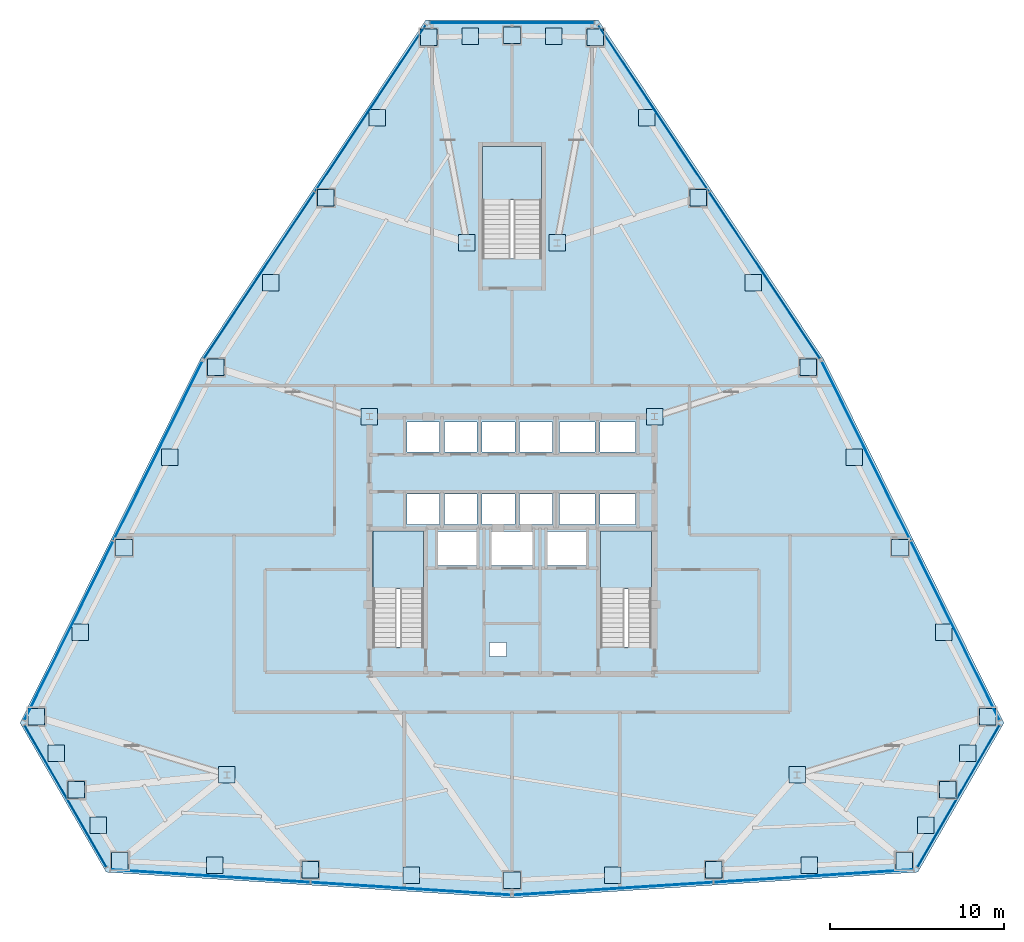
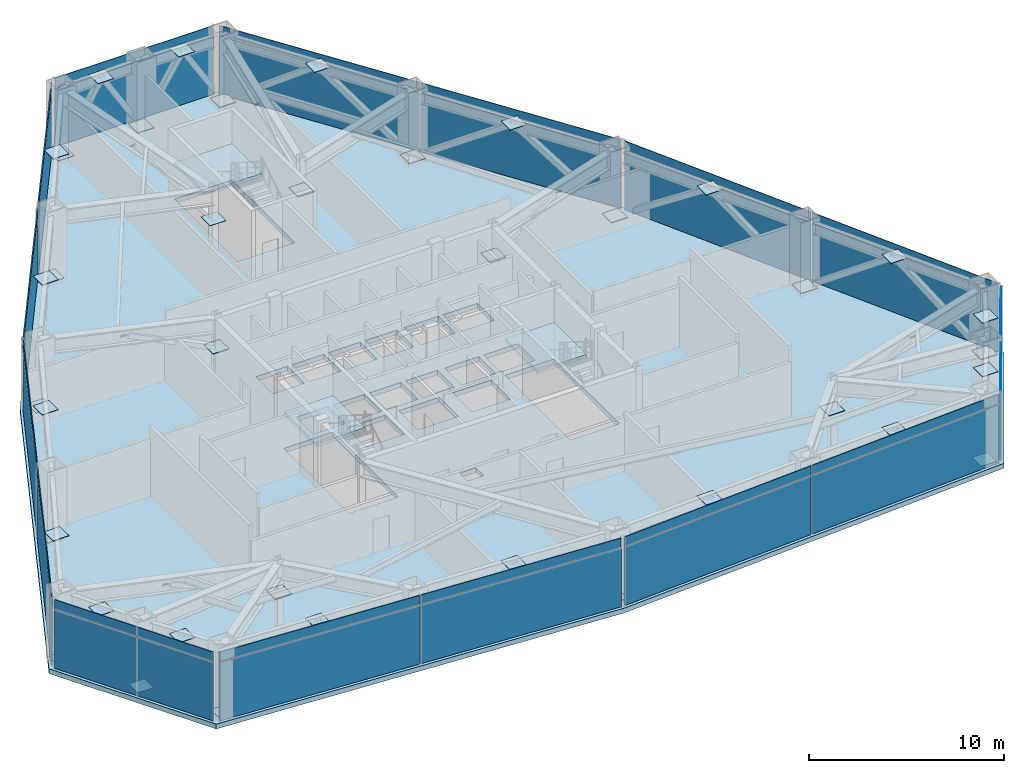
# One storey, part 8 of 12: 72 plates, 4 slabs, 12 elements without a shape of their own.
"""IFC4 building model written with IfcOpenShell, lengths in metres."""

from ifc_helpers import new_model, si_unit, direction, frame, origin, origin_2d, place, context, subcontext, project, spatial, polyline, rectangle, outline, extrude, source, transform, mapped, material, layer, layer_set, type_object, type_shapes, element, aggregate, save


model = new_model("IFC4")

# Units and contexts
model_context = context("Model", 3, precision=1e-05, world=origin(), true_north=direction((0.0, 1.0)))
body_context = subcontext(model_context, "Body", "Model", "MODEL_VIEW")
ifc_project = project(units=[si_unit("LENGTHUNIT", "METRE"), si_unit("AREAUNIT", "SQUARE_METRE"), si_unit("VOLUMEUNIT", "CUBIC_METRE"), si_unit("PLANEANGLEUNIT", "RADIAN"), si_unit("MASSUNIT", "GRAM", prefix="KILO")], contexts=[model_context])

# Site, building, storey
site_placement = place(None, origin())
site = spatial("IfcSite", under=ifc_project, at=site_placement, CompositionType="ELEMENT")
building_placement = place(site_placement, origin())
building = spatial("IfcBuilding", under=site, at=building_placement, Name="Varakhsha Concourse Tower", CompositionType="ELEMENT")
storey_placement = place(building_placement, frame((0.0, 0.0, 68.800048828125)))
storey = spatial("IfcBuildingStorey", under=building, at=storey_placement, Name="L19", CompositionType="ELEMENT", Elevation=68.800048828125)

# Slab
ifc_material_1 = material(Name="Concrete fc 45 MPa", Category="concrete")
ifc_layer_1 = layer(ifc_material_1, 0.300048828125, Name="SL-FLR-300")
ifc_layer_set_1 = layer_set([ifc_layer_1], Name="Concrete fc 45 MPa")
slab_type_1 = type_object("IfcSlabType", Name="SL-FLR-300", PredefinedType="FLOOR", material=ifc_layer_set_1)
slab_1_placement = place(storey_placement, frame((0.0, 0.0, -0.300048828125)))
element("IfcSlab", 1, at=slab_1_placement, inside=storey, type_object=slab_type_1, Name="L19 Composite Structural Slab", PredefinedType="FLOOR", context=body_context, shape_type="SweptSolid", body=[
    extrude(outline(polyline([(44.95703125, 54.013916015625), (35.04296875, 54.013916015625), (22.088623046875, 34.541015625), (11.701904296875, 13.5859375), (16.658935546875, 5.0), (40.0, 3.517822265625), (63.341064453125, 5.0), (68.298095703125, 13.5859375), (57.911376953125, 34.541015625), (44.95703125, 54.013916015625)]), holes=[polyline([(34.919921875, 17.93994140625), (34.919921875, 24.6298828125), (32.0, 24.6298828125), (32.0, 17.93994140625), (34.919921875, 17.93994140625)]), polyline([(48.02001953125, 17.93994140625), (48.02001953125, 24.6298828125), (45.10009765625, 24.6298828125), (45.10009765625, 17.93994140625), (48.02001953125, 17.93994140625)]), polyline([(41.699951171875, 40.300048828125), (41.699951171875, 46.75), (38.300048828125, 46.75), (38.300048828125, 40.300048828125), (41.699951171875, 40.300048828125)]), polyline([(33.9599609375, 29.159912109375), (35.840087890625, 29.159912109375), (35.840087890625, 30.89990234375), (33.9599609375, 30.89990234375), (33.9599609375, 29.159912109375)]), polyline([(36.1201171875, 29.159912109375), (38.0, 29.159912109375), (38.0, 30.89990234375), (36.1201171875, 30.89990234375), (36.1201171875, 29.159912109375)]), polyline([(38.280029296875, 29.159912109375), (40.159912109375, 29.159912109375), (40.159912109375, 30.89990234375), (38.280029296875, 30.89990234375), (38.280029296875, 29.159912109375)]), polyline([(40.43994140625, 29.159912109375), (42.320068359375, 29.159912109375), (42.320068359375, 30.89990234375), (40.43994140625, 30.89990234375), (40.43994140625, 29.159912109375)]), polyline([(33.9599609375, 25.0), (35.840087890625, 25.0), (35.840087890625, 26.739990234375), (33.9599609375, 26.739990234375), (33.9599609375, 25.0)]), polyline([(36.1201171875, 25.0), (38.0, 25.0), (38.0, 26.739990234375), (36.1201171875, 26.739990234375), (36.1201171875, 25.0)]), polyline([(38.280029296875, 25.0), (40.159912109375, 25.0), (40.159912109375, 26.739990234375), (38.280029296875, 26.739990234375), (38.280029296875, 25.0)]), polyline([(40.43994140625, 25.0), (42.320068359375, 25.0), (42.320068359375, 26.739990234375), (40.43994140625, 26.739990234375), (40.43994140625, 25.0)]), polyline([(42.739990234375, 29.159912109375), (44.780029296875, 29.159912109375), (44.780029296875, 30.89990234375), (42.739990234375, 30.89990234375), (42.739990234375, 29.159912109375)]), polyline([(45.06005859375, 29.159912109375), (47.10009765625, 29.159912109375), (47.10009765625, 30.89990234375), (45.06005859375, 30.89990234375), (45.06005859375, 29.159912109375)]), polyline([(42.739990234375, 25.0), (44.780029296875, 25.0), (44.780029296875, 26.739990234375), (42.739990234375, 26.739990234375), (42.739990234375, 25.0)]), polyline([(45.06005859375, 25.0), (47.10009765625, 25.0), (47.10009765625, 26.739990234375), (45.06005859375, 26.739990234375), (45.06005859375, 25.0)]), polyline([(35.7099609375, 22.639892578125), (37.989990234375, 22.639892578125), (37.989990234375, 24.60009765625), (35.7099609375, 24.60009765625), (35.7099609375, 22.639892578125)]), polyline([(42.010009765625, 22.639892578125), (44.2900390625, 22.639892578125), (44.2900390625, 24.60009765625), (42.010009765625, 24.60009765625), (42.010009765625, 22.639892578125)]), polyline([(38.81005859375, 22.639892578125), (41.18994140625, 22.639892578125), (41.18994140625, 24.60009765625), (38.81005859375, 24.60009765625), (38.81005859375, 22.639892578125)]), polyline([(38.719970703125, 17.39990234375), (39.679931640625, 17.39990234375), (39.679931640625, 18.199951171875), (38.719970703125, 18.199951171875), (38.719970703125, 17.39990234375)])]), origin(), (0.0, 0.0, 1.0), 0.300048828125),
])

# Stair, slab
stair_type_1 = type_object("IfcStairType", Name="ST-DOGLEG-1360", PredefinedType="HALF_TURN_STAIR", material=ifc_material_1)
stair_1_placement = place(storey_placement, origin())
stair_1 = element("IfcStair", 2, at=stair_1_placement, inside=storey, type_object=stair_type_1, Name="L19 Protected Exit Stair ST1", PredefinedType="HALF_TURN_STAIR")
ifc_layer_2 = layer(ifc_material_1, 0.199951171875, Name="SL-LAND-200")
ifc_layer_set_2 = layer_set([ifc_layer_2], Name="Concrete fc 45 MPa")
slab_type_2 = type_object("IfcSlabType", Name="SL-LAND-200", PredefinedType="LANDING", material=ifc_layer_set_2)
slab_2_placement = place(storey_placement, frame((0.0, 0.0, 2.099853515625)))
slab_2 = element("IfcSlab", 3, at=slab_2_placement, type_object=slab_type_2, Name="ST1 landing 1", PredefinedType="LANDING", context=body_context, shape_type="SweptSolid", body=[
    extrude(outline(polyline([(34.919921875, 21.300048828125), (34.919921875, 24.6298828125), (32.0, 24.6298828125), (32.0, 21.300048828125), (34.919921875, 21.300048828125)])), origin(), (0.0, 0.0, 1.0), 0.2001953125),
])
aggregate(stair_1, [slab_2])

stair_2_placement = place(storey_placement, origin())
stair_2 = element("IfcStair", 4, at=stair_2_placement, inside=storey, type_object=stair_type_1, Name="L19 Protected Exit Stair ST2", PredefinedType="HALF_TURN_STAIR")
slab_3_placement = place(storey_placement, frame((0.0, 0.0, 2.099853515625)))
slab_3 = element("IfcSlab", 5, at=slab_3_placement, type_object=slab_type_2, Name="ST2 landing 1", PredefinedType="LANDING", context=body_context, shape_type="SweptSolid", body=[
    extrude(outline(polyline([(48.02001953125, 21.300048828125), (48.02001953125, 24.6298828125), (45.10009765625, 24.6298828125), (45.10009765625, 21.300048828125), (48.02001953125, 21.300048828125)])), origin(), (0.0, 0.0, 1.0), 0.2001953125),
])
aggregate(stair_2, [slab_3])

stair_type_2 = type_object("IfcStairType", Name="ST-DOGLEG-1600", PredefinedType="HALF_TURN_STAIR", material=ifc_material_1)
stair_3_placement = place(storey_placement, origin())
stair_3 = element("IfcStair", 6, at=stair_3_placement, inside=storey, type_object=stair_type_2, Name="L19 Protected Exit Stair ST5", PredefinedType="HALF_TURN_STAIR")
slab_4_placement = place(storey_placement, frame((0.0, 0.0, 2.099853515625)))
slab_4 = element("IfcSlab", 7, at=slab_4_placement, type_object=slab_type_2, Name="ST5 landing 1", PredefinedType="LANDING", context=body_context, shape_type="SweptSolid", body=[
    extrude(outline(polyline([(41.699951171875, 43.659912109375), (41.699951171875, 46.75), (38.300048828125, 46.75), (38.300048828125, 43.659912109375), (41.699951171875, 43.659912109375)])), origin(), (0.0, 0.0, 1.0), 0.2001953125),
])
aggregate(stair_3, [slab_4])

# Plates
ifc_material_2 = material(Name="Structural Steel ASTM A572 Grade 50", Category="steel")
ifc_layer_3 = layer(ifc_material_2, 0.030029296875, Name="PL-ENDCAP-950")
ifc_layer_set_3 = layer_set([ifc_layer_3], Name="Structural Steel ASTM A572 Grade 50")
plate_type_1 = type_object("IfcPlateType", Name="PL-ENDCAP-950", PredefinedType="USERDEFINED", material=ifc_layer_set_3)
shared_shape_1 = source(origin(), body_context, "Body", "SweptSolid", [
    extrude(rectangle(XDim=0.949951171875, YDim=0.949951171875, at=origin_2d()), origin(), (0.0, 0.0, 1.0), 0.030029296875),
])
type_shapes(plate_type_1, [shared_shape_1])
for number, where, z_axis, x_axis, name in (
    (8, (44.791015625, 53.015625, 0.10498046875), (0.0, 0.0, 1.0), (1.0, 0.0, 0.0), "Hollow Section End Cap GP-NODE-L19-0142"),
    (9, (42.3955078125, 53.07470703125, 4.05517578125), (0.0, 0.0, 1.0), (1.0, 0.0, 0.0), "Hollow Section End Cap GP-NODE-L19-0143"),
    (10, (40.0, 53.134033203125, 0.10498046875), (0.0, 0.0, 1.0), (1.0, 0.0, 0.0), "Hollow Section End Cap GP-NODE-L19-0144"),
    (11, (37.6044921875, 53.07470703125, 4.05517578125), (0.0, 0.0, 1.0), (1.0, 0.0, 0.0), "Hollow Section End Cap GP-NODE-L19-0145"),
    (12, (35.208984375, 53.015625, 0.10498046875), (0.0, 0.0, 1.0), (1.0, 0.0, 0.0), "Hollow Section End Cap GP-NODE-L19-0146"),
    (13, (32.253662109375, 48.40283203125, 4.05517578125), (0.0, 0.0, 1.0), (1.0, 0.0, 0.0), "Hollow Section End Cap GP-NODE-L19-0147"),
    (14, (29.298583984375, 43.7900390625, 0.10498046875), (0.0, 0.0, 1.0), (1.0, 0.0, 0.0), "Hollow Section End Cap GP-NODE-L19-0148"),
    (15, (26.1318359375, 38.91259765625, 4.05517578125), (0.0, 0.0, 1.0), (1.0, 0.0, 0.0), "Hollow Section End Cap GP-NODE-L19-0149"),
    (16, (22.965087890625, 34.03515625, 0.10498046875), (0.0, 0.0, 1.0), (1.0, 0.0, 0.0), "Hollow Section End Cap GP-NODE-L19-0150"),
    (17, (20.324462890625, 28.85400390625, 4.05517578125), (0.0, 0.0, 1.0), (1.0, 0.0, 0.0), "Hollow Section End Cap GP-NODE-L19-0151"),
    (18, (17.68359375, 23.672607421875, 0.10498046875), (0.0, 0.0, 1.0), (1.0, 0.0, 0.0), "Hollow Section End Cap GP-NODE-L19-0152"),
    (19, (15.16650390625, 18.80712890625, 4.05517578125), (0.0, 0.0, 1.0), (1.0, 0.0, 0.0), "Hollow Section End Cap GP-NODE-L19-0153"),
    (20, (12.6494140625, 13.94140625, 0.10498046875), (0.0, 0.0, 1.0), (1.0, 0.0, 0.0), "Hollow Section End Cap GP-NODE-L19-0154"),
    (21, (13.7958984375, 11.837158203125, 4.05517578125), (0.0, 0.0, 1.0), (1.0, 0.0, 0.0), "Hollow Section End Cap GP-NODE-L19-0155"),
    (22, (14.9423828125, 9.73291015625, 0.10498046875), (0.0, 0.0, 1.0), (1.0, 0.0, 0.0), "Hollow Section End Cap GP-NODE-L19-0156"),
    (23, (16.19140625, 7.68798828125, 4.05517578125), (0.0, 0.0, 1.0), (1.0, 0.0, 0.0), "Hollow Section End Cap GP-NODE-L19-0157"),
    (24, (17.4404296875, 5.642822265625, 0.10498046875), (0.0, 0.0, 1.0), (1.0, 0.0, 0.0), "Hollow Section End Cap GP-NODE-L19-0158"),
    (25, (22.912841796875, 5.389892578125, 4.05517578125), (0.0, 0.0, 1.0), (1.0, 0.0, 0.0), "Hollow Section End Cap GP-NODE-L19-0159"),
    (26, (28.38525390625, 5.13720703125, 0.10498046875), (0.0, 0.0, 1.0), (1.0, 0.0, 0.0), "Hollow Section End Cap GP-NODE-L19-0160"),
    (27, (34.192626953125, 4.83349609375, 4.05517578125), (0.0, 0.0, 1.0), (1.0, 0.0, 0.0), "Hollow Section End Cap GP-NODE-L19-0161"),
    (28, (40.0, 4.52978515625, 0.10498046875), (0.0, 0.0, 1.0), (1.0, 0.0, 0.0), "Hollow Section End Cap GP-NODE-L19-0162"),
    (29, (45.807373046875, 4.83349609375, 4.05517578125), (0.0, 0.0, 1.0), (1.0, 0.0, 0.0), "Hollow Section End Cap GP-NODE-L19-0163"),
    (30, (51.61474609375, 5.13720703125, 0.10498046875), (0.0, 0.0, 1.0), (1.0, 0.0, 0.0), "Hollow Section End Cap GP-NODE-L19-0164"),
    (31, (57.087158203125, 5.389892578125, 4.05517578125), (0.0, 0.0, 1.0), (1.0, 0.0, 0.0), "Hollow Section End Cap GP-NODE-L19-0165"),
    (32, (62.5595703125, 5.642822265625, 0.10498046875), (0.0, 0.0, 1.0), (1.0, 0.0, 0.0), "Hollow Section End Cap GP-NODE-L19-0166"),
    (33, (63.80859375, 7.68798828125, 4.05517578125), (0.0, 0.0, 1.0), (1.0, 0.0, 0.0), "Hollow Section End Cap GP-NODE-L19-0167"),
    (34, (65.0576171875, 9.73291015625, 0.10498046875), (0.0, 0.0, 1.0), (1.0, 0.0, 0.0), "Hollow Section End Cap GP-NODE-L19-0168"),
    (35, (66.2041015625, 11.837158203125, 4.05517578125), (0.0, 0.0, 1.0), (1.0, 0.0, 0.0), "Hollow Section End Cap GP-NODE-L19-0169"),
    (36, (67.3505859375, 13.94140625, 0.10498046875), (0.0, 0.0, 1.0), (1.0, 0.0, 0.0), "Hollow Section End Cap GP-NODE-L19-0170"),
    (37, (64.83349609375, 18.80712890625, 4.05517578125), (0.0, 0.0, 1.0), (1.0, 0.0, 0.0), "Hollow Section End Cap GP-NODE-L19-0171"),
    (38, (62.31640625, 23.672607421875, 0.10498046875), (0.0, 0.0, 1.0), (1.0, 0.0, 0.0), "Hollow Section End Cap GP-NODE-L19-0172"),
    (39, (59.675537109375, 28.85400390625, 4.05517578125), (0.0, 0.0, 1.0), (1.0, 0.0, 0.0), "Hollow Section End Cap GP-NODE-L19-0173"),
    (40, (57.034912109375, 34.03515625, 0.10498046875), (0.0, 0.0, 1.0), (1.0, 0.0, 0.0), "Hollow Section End Cap GP-NODE-L19-0174"),
    (41, (53.8681640625, 38.91259765625, 4.05517578125), (0.0, 0.0, 1.0), (1.0, 0.0, 0.0), "Hollow Section End Cap GP-NODE-L19-0175"),
    (42, (50.701416015625, 43.7900390625, 0.10498046875), (0.0, 0.0, 1.0), (1.0, 0.0, 0.0), "Hollow Section End Cap GP-NODE-L19-0176"),
    (43, (47.746337890625, 48.40283203125, 4.05517578125), (0.0, 0.0, 1.0), (1.0, 0.0, 0.0), "Hollow Section End Cap GP-NODE-L19-0177"),
    (44, (42.60009765625, 41.199951171875, 2.43505859375), (0.0, 0.0, 1.0), (1.0, 0.0, 0.0), "Hollow Section End Cap GP-NODE-L19-0178"),
    (45, (37.39990234375, 41.199951171875, 2.43505859375), (0.0, 0.0, 1.0), (1.0, 0.0, 0.0), "Hollow Section End Cap GP-NODE-L19-0179"),
    (46, (31.800048828125, 31.199951171875, 2.43505859375), (0.0, 0.0, 1.0), (1.0, 0.0, 0.0), "Hollow Section End Cap GP-NODE-L19-0180"),
    (47, (23.60009765625, 10.60009765625, 2.43505859375), (0.0, 0.0, 1.0), (1.0, 0.0, 0.0), "Hollow Section End Cap GP-NODE-L19-0181"),
    (48, (56.39990234375, 10.60009765625, 2.43505859375), (0.0, 0.0, 1.0), (1.0, 0.0, 0.0), "Hollow Section End Cap GP-NODE-L19-0182"),
    (49, (48.199951171875, 31.199951171875, 2.43505859375), (0.0, 0.0, 1.0), (1.0, 0.0, 0.0), "Hollow Section End Cap GP-NODE-L19-0183"),
):
    element("IfcPlate", number, at=place(storey_placement, frame(where, z_axis=z_axis, x_axis=x_axis)), inside=storey, type_object=plate_type_1, Name=name, ObjectType="END PLATE", PredefinedType="USERDEFINED", context=body_context, shape_type="MappedRepresentation", body=[
        mapped(shared_shape_1, transform((0.0, 0.0, 0.0), scale=1.0)),
    ])

# Curtain wall, plate
ifc_material_3 = material(Name="Anodised Bronze Architectural Aluminium AA 6063-T6", Category="aluminium")
ifc_layer_4 = layer(ifc_material_3, 0.260009765625, Name="CW-SYS-06")
ifc_layer_set_4 = layer_set([ifc_layer_4], Name="Anodised Bronze Architectural Aluminium AA 6063-T6")
curtain_wall_type = type_object("IfcCurtainWallType", Name="CW-SYS-06", PredefinedType="NOTDEFINED", material=ifc_layer_set_4)
curtain_wall_1_placement = place(storey_placement, origin())
curtain_wall_1 = element("IfcCurtainWall", 50, at=curtain_wall_1_placement, inside=storey, type_object=curtain_wall_type, Name="L19 Chamfer Curtain Wall F1", PredefinedType="NOTDEFINED")
ifc_material_4 = material(Name="Glazed Turquoise-Bronze Ceramic Spandrel Panel 38 mm", Category="ceramic")
ifc_layer_5 = layer(ifc_material_4, 0.0380859375, Name="CWP-SPN-38")
ifc_layer_set_5 = layer_set([ifc_layer_5], Name="Glazed Turquoise-Bronze Ceramic Spandrel Panel 38 mm")
plate_type_2 = type_object("IfcPlateType", Name="CWP-SPN-38", PredefinedType="USERDEFINED", material=ifc_layer_set_5)
shared_shape_2 = source(origin(), body_context, "Body", "SweptSolid", [
    extrude(rectangle(XDim=9.395263671875, YDim=0.0380859375, at=origin_2d()), origin(), (0.0, 0.0, 1.0), 0.5810546875),
])
plate_1_placement = place(storey_placement, frame((40.0, 53.85400390625, 3.75439453125), z_axis=(0.0, 0.0, 1.0), x_axis=(1.0, 0.0, 0.0)))
plate_1 = element("IfcPlate", 51, at=plate_1_placement, type_object=plate_type_2, Name="CW-L19-F1 Panel 00-01", ObjectType="SPANDREL", PredefinedType="USERDEFINED", context=body_context, shape_type="MappedRepresentation", body=[
    mapped(shared_shape_2, transform((0.0, 0.0, 0.0), scale=1.0)),
])

curtain_wall_2_placement = place(storey_placement, origin())
curtain_wall_2 = element("IfcCurtainWall", 52, at=curtain_wall_2_placement, inside=storey, type_object=curtain_wall_type, Name="L19 Chamfer Curtain Wall F4", PredefinedType="NOTDEFINED")
plate_2_placement = place(storey_placement, frame((14.319091796875, 9.373046875, 3.75439453125), z_axis=(0.0, 0.0, 1.0), x_axis=(-0.499995465495, 0.866028021766, 0.0)))
plate_2 = element("IfcPlate", 53, at=plate_2_placement, type_object=plate_type_2, Name="CW-L19-F4 Panel 00-01", ObjectType="SPANDREL", PredefinedType="USERDEFINED", context=body_context, shape_type="MappedRepresentation", body=[
    mapped(shared_shape_2, transform((0.0, 0.0, 0.0), scale=1.0)),
])

curtain_wall_3_placement = place(storey_placement, origin())
curtain_wall_3 = element("IfcCurtainWall", 54, at=curtain_wall_3_placement, inside=storey, type_object=curtain_wall_type, Name="L19 Chamfer Curtain Wall F7", PredefinedType="NOTDEFINED")
plate_3_placement = place(storey_placement, frame((65.680908203125, 9.373046875, 3.75439453125), z_axis=(0.0, 0.0, 1.0), x_axis=(-0.499995465495, -0.866028021766, 0.0)))
plate_3 = element("IfcPlate", 55, at=plate_3_placement, type_object=plate_type_2, Name="CW-L19-F7 Panel 00-01", ObjectType="SPANDREL", PredefinedType="USERDEFINED", context=body_context, shape_type="MappedRepresentation", body=[
    mapped(shared_shape_2, transform((0.0, 0.0, 0.0), scale=1.0)),
])

# Plate
ifc_material_5 = material(Name="Extruded Bronze Storm-Proof Acoustic Louvre", Category="aluminium")
ifc_layer_6 = layer(ifc_material_5, 0.050048828125, Name="CWP-LVR-50")
ifc_layer_set_6 = layer_set([ifc_layer_6], Name="Extruded Bronze Storm-Proof Acoustic Louvre")
plate_type_3 = type_object("IfcPlateType", Name="CWP-LVR-50", PredefinedType="USERDEFINED", material=ifc_layer_set_6)
shared_shape_3 = source(origin(), body_context, "Body", "SweptSolid", [
    extrude(rectangle(XDim=9.395263671875, YDim=0.050048828125, at=origin_2d()), origin(), (0.0, 0.0, 1.0), 3.65087890625),
])
plate_4_placement = place(storey_placement, frame((40.0, 53.85400390625, 0.034423828125), z_axis=(0.0, 0.0, 1.0), x_axis=(1.0, 0.0, 0.0)))
plate_4 = element("IfcPlate", 56, at=plate_4_placement, type_object=plate_type_3, Name="CW-L19-F1 Panel 00-00", ObjectType="LOUVRE", PredefinedType="USERDEFINED", context=body_context, shape_type="MappedRepresentation", body=[
    mapped(shared_shape_3, transform((0.0, 0.0, 0.0), scale=1.0)),
])

aggregate(curtain_wall_1, [plate_4, plate_1])

plate_5_placement = place(storey_placement, frame((14.319091796875, 9.373046875, 0.034423828125), z_axis=(0.0, 0.0, 1.0), x_axis=(-0.499995465495, 0.866028021766, 0.0)))
plate_5 = element("IfcPlate", 57, at=plate_5_placement, type_object=plate_type_3, Name="CW-L19-F4 Panel 00-00", ObjectType="LOUVRE", PredefinedType="USERDEFINED", context=body_context, shape_type="MappedRepresentation", body=[
    mapped(shared_shape_3, transform((0.0, 0.0, 0.0), scale=1.0)),
])

aggregate(curtain_wall_2, [plate_5, plate_2])

plate_6_placement = place(storey_placement, frame((65.680908203125, 9.373046875, 0.034423828125), z_axis=(0.0, 0.0, 1.0), x_axis=(-0.499995465495, -0.866028021766, 0.0)))
plate_6 = element("IfcPlate", 58, at=plate_6_placement, type_object=plate_type_3, Name="CW-L19-F7 Panel 00-00", ObjectType="LOUVRE", PredefinedType="USERDEFINED", context=body_context, shape_type="MappedRepresentation", body=[
    mapped(shared_shape_3, transform((0.0, 0.0, 0.0), scale=1.0)),
])

aggregate(curtain_wall_3, [plate_6, plate_3])

# Curtain wall, plates
curtain_wall_4_placement = place(storey_placement, origin())
curtain_wall_4 = element("IfcCurtainWall", 59, at=curtain_wall_4_placement, inside=storey, type_object=curtain_wall_type, Name="L19 Crystal Curtain Wall F2", PredefinedType="NOTDEFINED")
shared_shape_4 = source(origin(), body_context, "Body", "SweptSolid", [
    extrude(rectangle(XDim=11.465087890625, YDim=0.050048828125, at=origin_2d()), origin(), (0.0, 0.0, 1.0), 3.65087890625),
])
type_shapes(plate_type_3, [shared_shape_3, shared_shape_4])
plate_7_placement = place(storey_placement, frame((25.463134765625, 39.324951171875, 0.034423828125), z_axis=(0.0, 0.0, 1.0), x_axis=(0.553881357741, 0.832595605049, 0.0)))
plate_7 = element("IfcPlate", 60, at=plate_7_placement, type_object=plate_type_3, Name="CW-L19-F2 Panel 00-00", ObjectType="LOUVRE", PredefinedType="USERDEFINED", context=body_context, shape_type="MappedRepresentation", body=[
    mapped(shared_shape_4, transform((0.0, 0.0, 0.0), scale=1.0)),
])
plate_8_placement = place(storey_placement, frame((31.857421875, 48.936279296875, 0.034423828125), z_axis=(0.0, 0.0, 1.0), x_axis=(0.553881357741, 0.832595605049, 0.0)))
plate_8 = element("IfcPlate", 61, at=plate_8_placement, type_object=plate_type_3, Name="CW-L19-F2 Panel 01-00", ObjectType="LOUVRE", PredefinedType="USERDEFINED", context=body_context, shape_type="MappedRepresentation", body=[
    mapped(shared_shape_4, transform((0.0, 0.0, 0.0), scale=1.0)),
])

curtain_wall_5_placement = place(storey_placement, origin())
curtain_wall_5 = element("IfcCurtainWall", 62, at=curtain_wall_5_placement, inside=storey, type_object=curtain_wall_type, Name="L19 Crystal Curtain Wall F3", PredefinedType="NOTDEFINED")
plate_9_placement = place(storey_placement, frame((14.50634765625, 18.8837890625, 0.034423828125), z_axis=(0.0, 0.0, 1.0), x_axis=(0.444108266182, 0.895973129011, 0.0)))
plate_9 = element("IfcPlate", 63, at=plate_9_placement, type_object=plate_type_3, Name="CW-L19-F3 Panel 00-00", ObjectType="LOUVRE", PredefinedType="USERDEFINED", context=body_context, shape_type="MappedRepresentation", body=[
    mapped(shared_shape_4, transform((0.0, 0.0, 0.0), scale=1.0)),
])
plate_10_placement = place(storey_placement, frame((19.633056640625, 29.226806640625, 0.034423828125), z_axis=(0.0, 0.0, 1.0), x_axis=(0.444108266182, 0.895973129011, 0.0)))
plate_10 = element("IfcPlate", 64, at=plate_10_placement, type_object=plate_type_3, Name="CW-L19-F3 Panel 01-00", ObjectType="LOUVRE", PredefinedType="USERDEFINED", context=body_context, shape_type="MappedRepresentation", body=[
    mapped(shared_shape_4, transform((0.0, 0.0, 0.0), scale=1.0)),
])

curtain_wall_6_placement = place(storey_placement, origin())
curtain_wall_6 = element("IfcCurtainWall", 65, at=curtain_wall_6_placement, inside=storey, type_object=curtain_wall_type, Name="L19 Crystal Curtain Wall F5", PredefinedType="NOTDEFINED")
plate_11_placement = place(storey_placement, frame((34.169921875, 4.04833984375, 0.034423828125), z_axis=(0.0, 0.0, 1.0), x_axis=(-0.997989845145, 0.06337404032, 0.0)))
plate_11 = element("IfcPlate", 66, at=plate_11_placement, type_object=plate_type_3, Name="CW-L19-F5 Panel 00-00", ObjectType="LOUVRE", PredefinedType="USERDEFINED", context=body_context, shape_type="MappedRepresentation", body=[
    mapped(shared_shape_4, transform((0.0, 0.0, 0.0), scale=1.0)),
])
plate_12_placement = place(storey_placement, frame((22.64892578125, 4.77978515625, 0.034423828125), z_axis=(0.0, 0.0, 1.0), x_axis=(-0.997989845145, 0.06337404032, 0.0)))
plate_12 = element("IfcPlate", 67, at=plate_12_placement, type_object=plate_type_3, Name="CW-L19-F5 Panel 01-00", ObjectType="LOUVRE", PredefinedType="USERDEFINED", context=body_context, shape_type="MappedRepresentation", body=[
    mapped(shared_shape_4, transform((0.0, 0.0, 0.0), scale=1.0)),
])

curtain_wall_7_placement = place(storey_placement, origin())
curtain_wall_7 = element("IfcCurtainWall", 68, at=curtain_wall_7_placement, inside=storey, type_object=curtain_wall_type, Name="L19 Crystal Curtain Wall F6", PredefinedType="NOTDEFINED")
plate_13_placement = place(storey_placement, frame((57.35107421875, 4.77978515625, 0.034423828125), z_axis=(0.0, 0.0, 1.0), x_axis=(-0.997989845145, -0.06337404032, 0.0)))
plate_13 = element("IfcPlate", 69, at=plate_13_placement, type_object=plate_type_3, Name="CW-L19-F6 Panel 00-00", ObjectType="LOUVRE", PredefinedType="USERDEFINED", context=body_context, shape_type="MappedRepresentation", body=[
    mapped(shared_shape_4, transform((0.0, 0.0, 0.0), scale=1.0)),
])
plate_14_placement = place(storey_placement, frame((45.830078125, 4.04833984375, 0.034423828125), z_axis=(0.0, 0.0, 1.0), x_axis=(-0.997989845145, -0.06337404032, 0.0)))
plate_14 = element("IfcPlate", 70, at=plate_14_placement, type_object=plate_type_3, Name="CW-L19-F6 Panel 01-00", ObjectType="LOUVRE", PredefinedType="USERDEFINED", context=body_context, shape_type="MappedRepresentation", body=[
    mapped(shared_shape_4, transform((0.0, 0.0, 0.0), scale=1.0)),
])

curtain_wall_8_placement = place(storey_placement, origin())
curtain_wall_8 = element("IfcCurtainWall", 71, at=curtain_wall_8_placement, inside=storey, type_object=curtain_wall_type, Name="L19 Crystal Curtain Wall F8", PredefinedType="NOTDEFINED")
plate_15_placement = place(storey_placement, frame((60.366943359375, 29.226806640625, 0.034423828125), z_axis=(0.0, 0.0, 1.0), x_axis=(0.444108266182, -0.895973129011, 0.0)))
plate_15 = element("IfcPlate", 72, at=plate_15_placement, type_object=plate_type_3, Name="CW-L19-F8 Panel 00-00", ObjectType="LOUVRE", PredefinedType="USERDEFINED", context=body_context, shape_type="MappedRepresentation", body=[
    mapped(shared_shape_4, transform((0.0, 0.0, 0.0), scale=1.0)),
])
plate_16_placement = place(storey_placement, frame((65.49365234375, 18.883544921875, 0.034423828125), z_axis=(0.0, 0.0, 1.0), x_axis=(0.444108266182, -0.895973129011, 0.0)))
plate_16 = element("IfcPlate", 73, at=plate_16_placement, type_object=plate_type_3, Name="CW-L19-F8 Panel 01-00", ObjectType="LOUVRE", PredefinedType="USERDEFINED", context=body_context, shape_type="MappedRepresentation", body=[
    mapped(shared_shape_4, transform((0.0, 0.0, 0.0), scale=1.0)),
])

curtain_wall_9_placement = place(storey_placement, origin())
curtain_wall_9 = element("IfcCurtainWall", 74, at=curtain_wall_9_placement, inside=storey, type_object=curtain_wall_type, Name="L19 Crystal Curtain Wall F9", PredefinedType="NOTDEFINED")
plate_17_placement = place(storey_placement, frame((48.142578125, 48.936279296875, 0.034423828125), z_axis=(0.0, 0.0, 1.0), x_axis=(0.553881357741, -0.832595605049, 0.0)))
plate_17 = element("IfcPlate", 75, at=plate_17_placement, type_object=plate_type_3, Name="CW-L19-F9 Panel 00-00", ObjectType="LOUVRE", PredefinedType="USERDEFINED", context=body_context, shape_type="MappedRepresentation", body=[
    mapped(shared_shape_4, transform((0.0, 0.0, 0.0), scale=1.0)),
])
plate_18_placement = place(storey_placement, frame((54.536865234375, 39.324951171875, 0.034423828125), z_axis=(0.0, 0.0, 1.0), x_axis=(0.553881357741, -0.832595605049, 0.0)))
plate_18 = element("IfcPlate", 76, at=plate_18_placement, type_object=plate_type_3, Name="CW-L19-F9 Panel 01-00", ObjectType="LOUVRE", PredefinedType="USERDEFINED", context=body_context, shape_type="MappedRepresentation", body=[
    mapped(shared_shape_4, transform((0.0, 0.0, 0.0), scale=1.0)),
])

# Plate
shared_shape_5 = source(origin(), body_context, "Body", "SweptSolid", [
    extrude(rectangle(XDim=11.465087890625, YDim=0.0380859375, at=origin_2d()), origin(), (0.0, 0.0, 1.0), 0.5810546875),
])
type_shapes(plate_type_2, [shared_shape_2, shared_shape_5])
plate_19_placement = place(storey_placement, frame((25.463134765625, 39.324951171875, 3.75439453125), z_axis=(0.0, 0.0, 1.0), x_axis=(0.553881357741, 0.832595605049, 0.0)))
plate_19 = element("IfcPlate", 77, at=plate_19_placement, type_object=plate_type_2, Name="CW-L19-F2 Panel 00-01", ObjectType="SPANDREL", PredefinedType="USERDEFINED", context=body_context, shape_type="MappedRepresentation", body=[
    mapped(shared_shape_5, transform((0.0, 0.0, 0.0), scale=1.0)),
])

plate_20_placement = place(storey_placement, frame((31.857421875, 48.936279296875, 3.75439453125), z_axis=(0.0, 0.0, 1.0), x_axis=(0.553881357741, 0.832595605049, 0.0)))
plate_20 = element("IfcPlate", 78, at=plate_20_placement, type_object=plate_type_2, Name="CW-L19-F2 Panel 01-01", ObjectType="SPANDREL", PredefinedType="USERDEFINED", context=body_context, shape_type="MappedRepresentation", body=[
    mapped(shared_shape_5, transform((0.0, 0.0, 0.0), scale=1.0)),
])

aggregate(curtain_wall_4, [plate_7, plate_19, plate_8, plate_20])

plate_21_placement = place(storey_placement, frame((14.50634765625, 18.8837890625, 3.75439453125), z_axis=(0.0, 0.0, 1.0), x_axis=(0.444108266182, 0.895973129011, 0.0)))
plate_21 = element("IfcPlate", 79, at=plate_21_placement, type_object=plate_type_2, Name="CW-L19-F3 Panel 00-01", ObjectType="SPANDREL", PredefinedType="USERDEFINED", context=body_context, shape_type="MappedRepresentation", body=[
    mapped(shared_shape_5, transform((0.0, 0.0, 0.0), scale=1.0)),
])

plate_22_placement = place(storey_placement, frame((19.633056640625, 29.226806640625, 3.75439453125), z_axis=(0.0, 0.0, 1.0), x_axis=(0.444108266182, 0.895973129011, 0.0)))
plate_22 = element("IfcPlate", 80, at=plate_22_placement, type_object=plate_type_2, Name="CW-L19-F3 Panel 01-01", ObjectType="SPANDREL", PredefinedType="USERDEFINED", context=body_context, shape_type="MappedRepresentation", body=[
    mapped(shared_shape_5, transform((0.0, 0.0, 0.0), scale=1.0)),
])

aggregate(curtain_wall_5, [plate_9, plate_21, plate_10, plate_22])

plate_23_placement = place(storey_placement, frame((34.169921875, 4.04833984375, 3.75439453125), z_axis=(0.0, 0.0, 1.0), x_axis=(-0.997989845145, 0.06337404032, 0.0)))
plate_23 = element("IfcPlate", 81, at=plate_23_placement, type_object=plate_type_2, Name="CW-L19-F5 Panel 00-01", ObjectType="SPANDREL", PredefinedType="USERDEFINED", context=body_context, shape_type="MappedRepresentation", body=[
    mapped(shared_shape_5, transform((0.0, 0.0, 0.0), scale=1.0)),
])

plate_24_placement = place(storey_placement, frame((22.64892578125, 4.77978515625, 3.75439453125), z_axis=(0.0, 0.0, 1.0), x_axis=(-0.997989845145, 0.06337404032, 0.0)))
plate_24 = element("IfcPlate", 82, at=plate_24_placement, type_object=plate_type_2, Name="CW-L19-F5 Panel 01-01", ObjectType="SPANDREL", PredefinedType="USERDEFINED", context=body_context, shape_type="MappedRepresentation", body=[
    mapped(shared_shape_5, transform((0.0, 0.0, 0.0), scale=1.0)),
])

aggregate(curtain_wall_6, [plate_11, plate_23, plate_12, plate_24])

plate_25_placement = place(storey_placement, frame((57.35107421875, 4.77978515625, 3.75439453125), z_axis=(0.0, 0.0, 1.0), x_axis=(-0.997989845145, -0.06337404032, 0.0)))
plate_25 = element("IfcPlate", 83, at=plate_25_placement, type_object=plate_type_2, Name="CW-L19-F6 Panel 00-01", ObjectType="SPANDREL", PredefinedType="USERDEFINED", context=body_context, shape_type="MappedRepresentation", body=[
    mapped(shared_shape_5, transform((0.0, 0.0, 0.0), scale=1.0)),
])

plate_26_placement = place(storey_placement, frame((45.830078125, 4.04833984375, 3.75439453125), z_axis=(0.0, 0.0, 1.0), x_axis=(-0.997989845145, -0.06337404032, 0.0)))
plate_26 = element("IfcPlate", 84, at=plate_26_placement, type_object=plate_type_2, Name="CW-L19-F6 Panel 01-01", ObjectType="SPANDREL", PredefinedType="USERDEFINED", context=body_context, shape_type="MappedRepresentation", body=[
    mapped(shared_shape_5, transform((0.0, 0.0, 0.0), scale=1.0)),
])

aggregate(curtain_wall_7, [plate_13, plate_25, plate_14, plate_26])

plate_27_placement = place(storey_placement, frame((60.366943359375, 29.226806640625, 3.75439453125), z_axis=(0.0, 0.0, 1.0), x_axis=(0.444108266182, -0.895973129011, 0.0)))
plate_27 = element("IfcPlate", 85, at=plate_27_placement, type_object=plate_type_2, Name="CW-L19-F8 Panel 00-01", ObjectType="SPANDREL", PredefinedType="USERDEFINED", context=body_context, shape_type="MappedRepresentation", body=[
    mapped(shared_shape_5, transform((0.0, 0.0, 0.0), scale=1.0)),
])

plate_28_placement = place(storey_placement, frame((65.49365234375, 18.883544921875, 3.75439453125), z_axis=(0.0, 0.0, 1.0), x_axis=(0.444108266182, -0.895973129011, 0.0)))
plate_28 = element("IfcPlate", 86, at=plate_28_placement, type_object=plate_type_2, Name="CW-L19-F8 Panel 01-01", ObjectType="SPANDREL", PredefinedType="USERDEFINED", context=body_context, shape_type="MappedRepresentation", body=[
    mapped(shared_shape_5, transform((0.0, 0.0, 0.0), scale=1.0)),
])

aggregate(curtain_wall_8, [plate_15, plate_27, plate_16, plate_28])

plate_29_placement = place(storey_placement, frame((48.142578125, 48.936279296875, 3.75439453125), z_axis=(0.0, 0.0, 1.0), x_axis=(0.553881357741, -0.832595605049, 0.0)))
plate_29 = element("IfcPlate", 87, at=plate_29_placement, type_object=plate_type_2, Name="CW-L19-F9 Panel 00-01", ObjectType="SPANDREL", PredefinedType="USERDEFINED", context=body_context, shape_type="MappedRepresentation", body=[
    mapped(shared_shape_5, transform((0.0, 0.0, 0.0), scale=1.0)),
])

plate_30_placement = place(storey_placement, frame((54.536865234375, 39.324951171875, 3.75439453125), z_axis=(0.0, 0.0, 1.0), x_axis=(0.553881357741, -0.832595605049, 0.0)))
plate_30 = element("IfcPlate", 88, at=plate_30_placement, type_object=plate_type_2, Name="CW-L19-F9 Panel 01-01", ObjectType="SPANDREL", PredefinedType="USERDEFINED", context=body_context, shape_type="MappedRepresentation", body=[
    mapped(shared_shape_5, transform((0.0, 0.0, 0.0), scale=1.0)),
])

aggregate(curtain_wall_9, [plate_17, plate_29, plate_18, plate_30])

save(model, "model.ifc")
